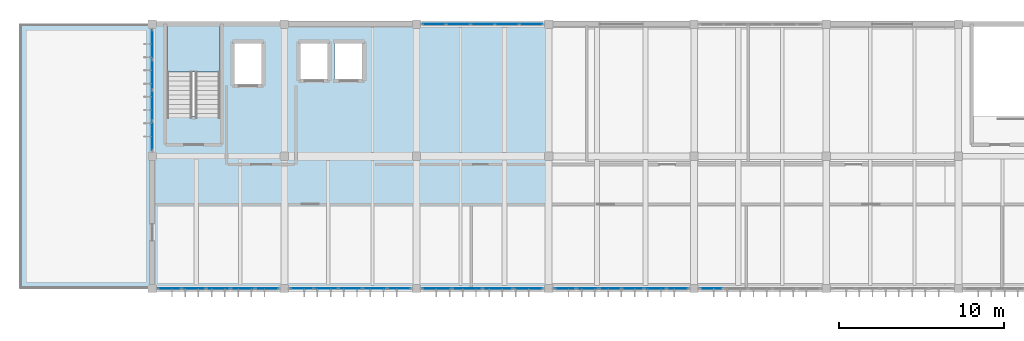
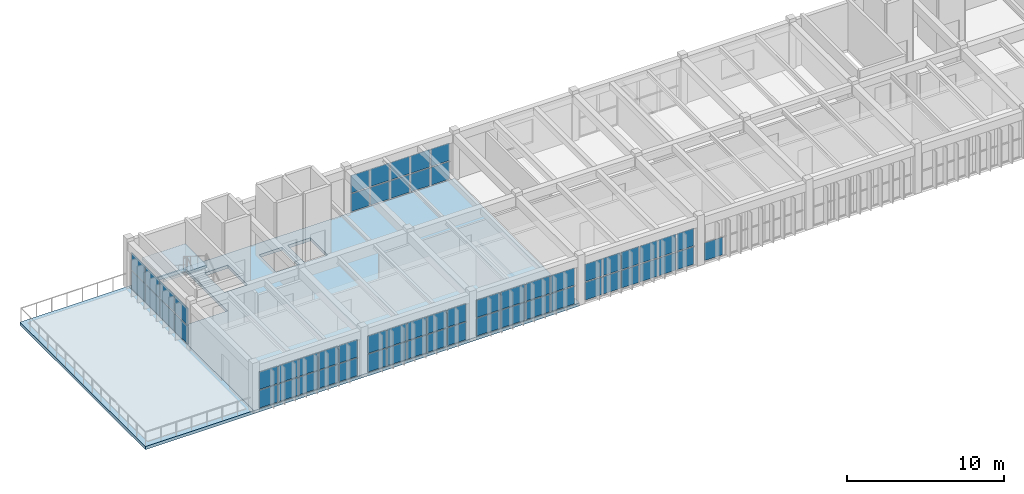
# One storey, part 7 of 12: 59 plates, 3 slabs, 8 elements without a shape of their own.
"""IFC4 building model written with IfcOpenShell, lengths in metres."""

from ifc_helpers import new_model, si_unit, direction, frame, origin, origin_2d, place, context, subcontext, project, spatial, polyline, rectangle, outline, extrude, material, layer, layer_set, type_object, element, aggregate, save


model = new_model("IFC4")

# Units and contexts
model_context = context("Model", 3, precision=1e-05, world=origin(), true_north=direction((0.0, 1.0)))
body_context = subcontext(model_context, "Body", "Model", "MODEL_VIEW")
ifc_project = project(units=[si_unit("LENGTHUNIT", "METRE"), si_unit("AREAUNIT", "SQUARE_METRE"), si_unit("VOLUMEUNIT", "CUBIC_METRE"), si_unit("PLANEANGLEUNIT", "RADIAN"), si_unit("MASSUNIT", "GRAM", prefix="KILO")], contexts=[model_context])

# Site, building, storey
site_placement = place(None, origin())
site = spatial("IfcSite", under=ifc_project, at=site_placement, CompositionType="ELEMENT")
building_placement = place(site_placement, origin())
building = spatial("IfcBuilding", under=site, at=building_placement, Name="Tlaxcora Railside Police Headquarters", CompositionType="ELEMENT")
storey_placement = place(building_placement, frame((0.0, 0.0, 29.699951171875)))
storey = spatial("IfcBuildingStorey", under=building, at=storey_placement, Name="L07", CompositionType="ELEMENT", Elevation=29.699951171875)

# Curtain wall, plates
ifc_material_1 = material(Name="Thermally broken low-E insulated glazing", Category="glass")
curtain_wall_type_1 = type_object("IfcCurtainWallType", Name="Unitised Curtain Wall Assembly CW-23", PredefinedType="NOTDEFINED", material=ifc_material_1)
curtain_wall_1_placement = place(storey_placement, origin())
curtain_wall_1 = element("IfcCurtainWall", 1, at=curtain_wall_1_placement, inside=storey, type_object=curtain_wall_type_1, Name="V5 L07 curtain wall 136", PredefinedType="NOTDEFINED")
ifc_layer_1 = layer(ifc_material_1, 0.0400390625, Name="Thermally broken low-E insulated glazing")
ifc_layer_set_1 = layer_set([ifc_layer_1], Name="Thermally broken low-E insulated glazing")
plate_type_1 = type_object("IfcPlateType", Name="Curtain Wall Infill Panel CW-17", PredefinedType="CURTAIN_PANEL", material=ifc_layer_set_1)
plate_1_placement = place(storey_placement, frame((46.203369140625, 76.800048828125, 0.080078125), z_axis=(0.0, 0.0, 1.0), x_axis=(1.0, 0.0, 0.0)))
plate_1 = element("IfcPlate", 2, at=plate_1_placement, type_object=plate_type_1, Name="CW panel 1.1", PredefinedType="CURTAIN_PANEL", context=body_context, shape_type="SweptSolid", body=[
    extrude(rectangle(XDim=1.24658203125, YDim=0.0400390625, at=origin_2d()), origin(), (0.0, 0.0, 1.0), 1.3701171875),
])
plate_2_placement = place(storey_placement, frame((46.203369140625, 76.800048828125, 1.530029296875), z_axis=(0.0, 0.0, 1.0), x_axis=(1.0, 0.0, 0.0)))
plate_2 = element("IfcPlate", 3, at=plate_2_placement, type_object=plate_type_1, Name="CW panel 1.2", PredefinedType="CURTAIN_PANEL", context=body_context, shape_type="SweptSolid", body=[
    extrude(rectangle(XDim=1.24658203125, YDim=0.0400390625, at=origin_2d()), origin(), (0.0, 0.0, 1.0), 1.35009765625),
])
plate_3_placement = place(storey_placement, frame((47.550048828125, 76.800048828125, 0.080078125), z_axis=(0.0, 0.0, 1.0), x_axis=(1.0, 0.0, 0.0)))
plate_3 = element("IfcPlate", 4, at=plate_3_placement, type_object=plate_type_1, Name="CW panel 2.1", PredefinedType="CURTAIN_PANEL", context=body_context, shape_type="SweptSolid", body=[
    extrude(rectangle(XDim=1.28662109375, YDim=0.0400390625, at=origin_2d()), origin(), (0.0, 0.0, 1.0), 1.3701171875),
])
plate_4_placement = place(storey_placement, frame((47.550048828125, 76.800048828125, 1.530029296875), z_axis=(0.0, 0.0, 1.0), x_axis=(1.0, 0.0, 0.0)))
plate_4 = element("IfcPlate", 5, at=plate_4_placement, type_object=plate_type_1, Name="CW panel 2.2", PredefinedType="CURTAIN_PANEL", context=body_context, shape_type="SweptSolid", body=[
    extrude(rectangle(XDim=1.28662109375, YDim=0.0400390625, at=origin_2d()), origin(), (0.0, 0.0, 1.0), 1.35009765625),
])
plate_5_placement = place(storey_placement, frame((48.916748046875, 76.800048828125, 0.080078125), z_axis=(0.0, 0.0, 1.0), x_axis=(1.0, 0.0, 0.0)))
plate_5 = element("IfcPlate", 6, at=plate_5_placement, type_object=plate_type_1, Name="CW panel 3.1", PredefinedType="CURTAIN_PANEL", context=body_context, shape_type="SweptSolid", body=[
    extrude(rectangle(XDim=1.28662109375, YDim=0.0400390625, at=origin_2d()), origin(), (0.0, 0.0, 1.0), 1.3701171875),
])
plate_6_placement = place(storey_placement, frame((48.916748046875, 76.800048828125, 1.530029296875), z_axis=(0.0, 0.0, 1.0), x_axis=(1.0, 0.0, 0.0)))
plate_6 = element("IfcPlate", 7, at=plate_6_placement, type_object=plate_type_1, Name="CW panel 3.2", PredefinedType="CURTAIN_PANEL", context=body_context, shape_type="SweptSolid", body=[
    extrude(rectangle(XDim=1.28662109375, YDim=0.0400390625, at=origin_2d()), origin(), (0.0, 0.0, 1.0), 1.35009765625),
])
plate_7_placement = place(storey_placement, frame((50.283447265625, 76.800048828125, 0.080078125), z_axis=(0.0, 0.0, 1.0), x_axis=(1.0, 0.0, 0.0)))
plate_7 = element("IfcPlate", 8, at=plate_7_placement, type_object=plate_type_1, Name="CW panel 4.1", PredefinedType="CURTAIN_PANEL", context=body_context, shape_type="SweptSolid", body=[
    extrude(rectangle(XDim=1.28662109375, YDim=0.0400390625, at=origin_2d()), origin(), (0.0, 0.0, 1.0), 1.3701171875),
])
plate_8_placement = place(storey_placement, frame((50.283447265625, 76.800048828125, 1.530029296875), z_axis=(0.0, 0.0, 1.0), x_axis=(1.0, 0.0, 0.0)))
plate_8 = element("IfcPlate", 9, at=plate_8_placement, type_object=plate_type_1, Name="CW panel 4.2", PredefinedType="CURTAIN_PANEL", context=body_context, shape_type="SweptSolid", body=[
    extrude(rectangle(XDim=1.28662109375, YDim=0.0400390625, at=origin_2d()), origin(), (0.0, 0.0, 1.0), 1.35009765625),
])
plate_9_placement = place(storey_placement, frame((51.64990234375, 76.800048828125, 0.080078125), z_axis=(0.0, 0.0, 1.0), x_axis=(1.0, 0.0, 0.0)))
plate_9 = element("IfcPlate", 10, at=plate_9_placement, type_object=plate_type_1, Name="CW panel 5.1", PredefinedType="CURTAIN_PANEL", context=body_context, shape_type="SweptSolid", body=[
    extrude(rectangle(XDim=1.28662109375, YDim=0.0400390625, at=origin_2d()), origin(), (0.0, 0.0, 1.0), 1.3701171875),
])
plate_10_placement = place(storey_placement, frame((51.64990234375, 76.800048828125, 1.530029296875), z_axis=(0.0, 0.0, 1.0), x_axis=(1.0, 0.0, 0.0)))
plate_10 = element("IfcPlate", 11, at=plate_10_placement, type_object=plate_type_1, Name="CW panel 5.2", PredefinedType="CURTAIN_PANEL", context=body_context, shape_type="SweptSolid", body=[
    extrude(rectangle(XDim=1.28662109375, YDim=0.0400390625, at=origin_2d()), origin(), (0.0, 0.0, 1.0), 1.35009765625),
])
plate_11_placement = place(storey_placement, frame((52.99658203125, 76.800048828125, 0.080078125), z_axis=(0.0, 0.0, 1.0), x_axis=(1.0, 0.0, 0.0)))
plate_11 = element("IfcPlate", 12, at=plate_11_placement, type_object=plate_type_1, Name="CW panel 6.1", PredefinedType="CURTAIN_PANEL", context=body_context, shape_type="SweptSolid", body=[
    extrude(rectangle(XDim=1.24658203125, YDim=0.0400390625, at=origin_2d()), origin(), (0.0, 0.0, 1.0), 1.3701171875),
])
plate_12_placement = place(storey_placement, frame((52.99658203125, 76.800048828125, 1.530029296875), z_axis=(0.0, 0.0, 1.0), x_axis=(1.0, 0.0, 0.0)))
plate_12 = element("IfcPlate", 13, at=plate_12_placement, type_object=plate_type_1, Name="CW panel 6.2", PredefinedType="CURTAIN_PANEL", context=body_context, shape_type="SweptSolid", body=[
    extrude(rectangle(XDim=1.24658203125, YDim=0.0400390625, at=origin_2d()), origin(), (0.0, 0.0, 1.0), 1.35009765625),
])
aggregate(curtain_wall_1, [plate_1, plate_2, plate_3, plate_4, plate_5, plate_6, plate_7, plate_8, plate_9, plate_10, plate_11, plate_12])

curtain_wall_type_2 = type_object("IfcCurtainWallType", Name="Unitised Curtain Wall Assembly CW-15", PredefinedType="NOTDEFINED", material=ifc_material_1)
curtain_wall_2_placement = place(storey_placement, origin())
curtain_wall_2 = element("IfcCurtainWall", 14, at=curtain_wall_2_placement, inside=storey, type_object=curtain_wall_type_2, Name="V5 L07 curtain wall 134", PredefinedType="NOTDEFINED")
ifc_layer_2 = layer(ifc_material_1, 0.031982421875, Name="Thermally broken low-E insulated glazing")
ifc_layer_set_2 = layer_set([ifc_layer_2], Name="Thermally broken low-E insulated glazing")
plate_type_2 = type_object("IfcPlateType", Name="Curtain Wall Infill Panel CW-41", PredefinedType="CURTAIN_PANEL", material=ifc_layer_set_2)
plate_13_placement = place(storey_placement, frame((30.2587890625, 76.800048828125, 0.0751953125), z_axis=(0.0, 0.0, 1.0), x_axis=(1.0, 0.0, 0.0)))
plate_13 = element("IfcPlate", 15, at=plate_13_placement, type_object=plate_type_2, Name="CW panel 1.1", PredefinedType="CURTAIN_PANEL", context=body_context, shape_type="SweptSolid", body=[
    extrude(rectangle(XDim=1.367431640625, YDim=0.031982421875, at=origin_2d()), origin(), (0.0, 0.0, 1.0), 1.37744140625),
])
plate_14_placement = place(storey_placement, frame((30.2587890625, 76.800048828125, 1.527587890625), z_axis=(0.0, 0.0, 1.0), x_axis=(1.0, 0.0, 0.0)))
plate_14 = element("IfcPlate", 16, at=plate_14_placement, type_object=plate_type_2, Name="CW panel 1.2", PredefinedType="CURTAIN_PANEL", context=body_context, shape_type="SweptSolid", body=[
    extrude(rectangle(XDim=1.367431640625, YDim=0.031982421875, at=origin_2d()), origin(), (0.0, 0.0, 1.0), 1.357421875),
])
plate_15_placement = place(storey_placement, frame((31.719970703125, 76.800048828125, 0.0751953125), z_axis=(0.0, 0.0, 1.0), x_axis=(1.0, 0.0, 0.0)))
plate_15 = element("IfcPlate", 17, at=plate_15_placement, type_object=plate_type_2, Name="CW panel 2.1", PredefinedType="CURTAIN_PANEL", context=body_context, shape_type="SweptSolid", body=[
    extrude(rectangle(XDim=1.405029296875, YDim=0.031982421875, at=origin_2d()), origin(), (0.0, 0.0, 1.0), 1.37744140625),
])
plate_16_placement = place(storey_placement, frame((31.719970703125, 76.800048828125, 1.527587890625), z_axis=(0.0, 0.0, 1.0), x_axis=(1.0, 0.0, 0.0)))
plate_16 = element("IfcPlate", 18, at=plate_16_placement, type_object=plate_type_2, Name="CW panel 2.2", PredefinedType="CURTAIN_PANEL", context=body_context, shape_type="SweptSolid", body=[
    extrude(rectangle(XDim=1.405029296875, YDim=0.031982421875, at=origin_2d()), origin(), (0.0, 0.0, 1.0), 1.357421875),
])
plate_17_placement = place(storey_placement, frame((33.199951171875, 76.800048828125, 0.0751953125), z_axis=(0.0, 0.0, 1.0), x_axis=(1.0, 0.0, 0.0)))
plate_17 = element("IfcPlate", 19, at=plate_17_placement, type_object=plate_type_2, Name="CW panel 3.1", PredefinedType="CURTAIN_PANEL", context=body_context, shape_type="SweptSolid", body=[
    extrude(rectangle(XDim=1.405029296875, YDim=0.031982421875, at=origin_2d()), origin(), (0.0, 0.0, 1.0), 1.37744140625),
])
plate_18_placement = place(storey_placement, frame((33.199951171875, 76.800048828125, 1.527587890625), z_axis=(0.0, 0.0, 1.0), x_axis=(1.0, 0.0, 0.0)))
plate_18 = element("IfcPlate", 20, at=plate_18_placement, type_object=plate_type_2, Name="CW panel 3.2", PredefinedType="CURTAIN_PANEL", context=body_context, shape_type="SweptSolid", body=[
    extrude(rectangle(XDim=1.405029296875, YDim=0.031982421875, at=origin_2d()), origin(), (0.0, 0.0, 1.0), 1.357421875),
])
plate_19_placement = place(storey_placement, frame((34.679931640625, 76.800048828125, 0.0751953125), z_axis=(0.0, 0.0, 1.0), x_axis=(1.0, 0.0, 0.0)))
plate_19 = element("IfcPlate", 21, at=plate_19_placement, type_object=plate_type_2, Name="CW panel 4.1", PredefinedType="CURTAIN_PANEL", context=body_context, shape_type="SweptSolid", body=[
    extrude(rectangle(XDim=1.405029296875, YDim=0.031982421875, at=origin_2d()), origin(), (0.0, 0.0, 1.0), 1.37744140625),
])
plate_20_placement = place(storey_placement, frame((34.679931640625, 76.800048828125, 1.527587890625), z_axis=(0.0, 0.0, 1.0), x_axis=(1.0, 0.0, 0.0)))
plate_20 = element("IfcPlate", 22, at=plate_20_placement, type_object=plate_type_2, Name="CW panel 4.2", PredefinedType="CURTAIN_PANEL", context=body_context, shape_type="SweptSolid", body=[
    extrude(rectangle(XDim=1.405029296875, YDim=0.031982421875, at=origin_2d()), origin(), (0.0, 0.0, 1.0), 1.357421875),
])
plate_21_placement = place(storey_placement, frame((36.141357421875, 76.800048828125, 0.0751953125), z_axis=(0.0, 0.0, 1.0), x_axis=(1.0, 0.0, 0.0)))
plate_21 = element("IfcPlate", 23, at=plate_21_placement, type_object=plate_type_2, Name="CW panel 5.1", PredefinedType="CURTAIN_PANEL", context=body_context, shape_type="SweptSolid", body=[
    extrude(rectangle(XDim=1.367431640625, YDim=0.031982421875, at=origin_2d()), origin(), (0.0, 0.0, 1.0), 1.37744140625),
])
plate_22_placement = place(storey_placement, frame((36.141357421875, 76.800048828125, 1.527587890625), z_axis=(0.0, 0.0, 1.0), x_axis=(1.0, 0.0, 0.0)))
plate_22 = element("IfcPlate", 24, at=plate_22_placement, type_object=plate_type_2, Name="CW panel 5.2", PredefinedType="CURTAIN_PANEL", context=body_context, shape_type="SweptSolid", body=[
    extrude(rectangle(XDim=1.367431640625, YDim=0.031982421875, at=origin_2d()), origin(), (0.0, 0.0, 1.0), 1.357421875),
])
aggregate(curtain_wall_2, [plate_13, plate_14, plate_15, plate_16, plate_17, plate_18, plate_19, plate_20, plate_21, plate_22])

curtain_wall_3_placement = place(storey_placement, origin())
curtain_wall_3 = element("IfcCurtainWall", 25, at=curtain_wall_3_placement, inside=storey, type_object=curtain_wall_type_2, Name="V5 L07 curtain wall 142", PredefinedType="NOTDEFINED")
plate_23_placement = place(storey_placement, frame((44.141357421875, 92.800048828125, 0.0751953125), z_axis=(0.0, 0.0, 1.0), x_axis=(-1.0, 0.0, 0.0)))
plate_23 = element("IfcPlate", 26, at=plate_23_placement, type_object=plate_type_2, Name="CW panel 1.1", PredefinedType="CURTAIN_PANEL", context=body_context, shape_type="SweptSolid", body=[
    extrude(rectangle(XDim=1.367431640625, YDim=0.031982421875, at=origin_2d()), origin(), (0.0, 0.0, 1.0), 1.37744140625),
])
plate_24_placement = place(storey_placement, frame((44.141357421875, 92.800048828125, 1.527587890625), z_axis=(0.0, 0.0, 1.0), x_axis=(-1.0, 0.0, 0.0)))
plate_24 = element("IfcPlate", 27, at=plate_24_placement, type_object=plate_type_2, Name="CW panel 1.2", PredefinedType="CURTAIN_PANEL", context=body_context, shape_type="SweptSolid", body=[
    extrude(rectangle(XDim=1.367431640625, YDim=0.031982421875, at=origin_2d()), origin(), (0.0, 0.0, 1.0), 1.357421875),
])
plate_25_placement = place(storey_placement, frame((42.679931640625, 92.800048828125, 0.0751953125), z_axis=(0.0, 0.0, 1.0), x_axis=(-1.0, 0.0, 0.0)))
plate_25 = element("IfcPlate", 28, at=plate_25_placement, type_object=plate_type_2, Name="CW panel 2.1", PredefinedType="CURTAIN_PANEL", context=body_context, shape_type="SweptSolid", body=[
    extrude(rectangle(XDim=1.405029296875, YDim=0.031982421875, at=origin_2d()), origin(), (0.0, 0.0, 1.0), 1.37744140625),
])
plate_26_placement = place(storey_placement, frame((42.679931640625, 92.800048828125, 1.527587890625), z_axis=(0.0, 0.0, 1.0), x_axis=(-1.0, 0.0, 0.0)))
plate_26 = element("IfcPlate", 29, at=plate_26_placement, type_object=plate_type_2, Name="CW panel 2.2", PredefinedType="CURTAIN_PANEL", context=body_context, shape_type="SweptSolid", body=[
    extrude(rectangle(XDim=1.405029296875, YDim=0.031982421875, at=origin_2d()), origin(), (0.0, 0.0, 1.0), 1.357421875),
])
plate_27_placement = place(storey_placement, frame((41.199951171875, 92.800048828125, 0.0751953125), z_axis=(0.0, 0.0, 1.0), x_axis=(-1.0, 0.0, 0.0)))
plate_27 = element("IfcPlate", 30, at=plate_27_placement, type_object=plate_type_2, Name="CW panel 3.1", PredefinedType="CURTAIN_PANEL", context=body_context, shape_type="SweptSolid", body=[
    extrude(rectangle(XDim=1.405029296875, YDim=0.031982421875, at=origin_2d()), origin(), (0.0, 0.0, 1.0), 1.37744140625),
])
plate_28_placement = place(storey_placement, frame((41.199951171875, 92.800048828125, 1.527587890625), z_axis=(0.0, 0.0, 1.0), x_axis=(-1.0, 0.0, 0.0)))
plate_28 = element("IfcPlate", 31, at=plate_28_placement, type_object=plate_type_2, Name="CW panel 3.2", PredefinedType="CURTAIN_PANEL", context=body_context, shape_type="SweptSolid", body=[
    extrude(rectangle(XDim=1.405029296875, YDim=0.031982421875, at=origin_2d()), origin(), (0.0, 0.0, 1.0), 1.357421875),
])
plate_29_placement = place(storey_placement, frame((39.719970703125, 92.800048828125, 0.0751953125), z_axis=(0.0, 0.0, 1.0), x_axis=(-1.0, 0.0, 0.0)))
plate_29 = element("IfcPlate", 32, at=plate_29_placement, type_object=plate_type_2, Name="CW panel 4.1", PredefinedType="CURTAIN_PANEL", context=body_context, shape_type="SweptSolid", body=[
    extrude(rectangle(XDim=1.405029296875, YDim=0.031982421875, at=origin_2d()), origin(), (0.0, 0.0, 1.0), 1.37744140625),
])
plate_30_placement = place(storey_placement, frame((39.719970703125, 92.800048828125, 1.527587890625), z_axis=(0.0, 0.0, 1.0), x_axis=(-1.0, 0.0, 0.0)))
plate_30 = element("IfcPlate", 33, at=plate_30_placement, type_object=plate_type_2, Name="CW panel 4.2", PredefinedType="CURTAIN_PANEL", context=body_context, shape_type="SweptSolid", body=[
    extrude(rectangle(XDim=1.405029296875, YDim=0.031982421875, at=origin_2d()), origin(), (0.0, 0.0, 1.0), 1.357421875),
])
plate_31_placement = place(storey_placement, frame((38.2587890625, 92.800048828125, 0.0751953125), z_axis=(0.0, 0.0, 1.0), x_axis=(-1.0, 0.0, 0.0)))
plate_31 = element("IfcPlate", 34, at=plate_31_placement, type_object=plate_type_2, Name="CW panel 5.1", PredefinedType="CURTAIN_PANEL", context=body_context, shape_type="SweptSolid", body=[
    extrude(rectangle(XDim=1.367431640625, YDim=0.031982421875, at=origin_2d()), origin(), (0.0, 0.0, 1.0), 1.37744140625),
])
plate_32_placement = place(storey_placement, frame((38.2587890625, 92.800048828125, 1.527587890625), z_axis=(0.0, 0.0, 1.0), x_axis=(-1.0, 0.0, 0.0)))
plate_32 = element("IfcPlate", 35, at=plate_32_placement, type_object=plate_type_2, Name="CW panel 5.2", PredefinedType="CURTAIN_PANEL", context=body_context, shape_type="SweptSolid", body=[
    extrude(rectangle(XDim=1.367431640625, YDim=0.031982421875, at=origin_2d()), origin(), (0.0, 0.0, 1.0), 1.357421875),
])
aggregate(curtain_wall_3, [plate_23, plate_24, plate_25, plate_26, plate_27, plate_28, plate_29, plate_30, plate_31, plate_32])

curtain_wall_type_3 = type_object("IfcCurtainWallType", Name="Unitised Curtain Wall Assembly CW-83", PredefinedType="NOTDEFINED", material=ifc_material_1)
curtain_wall_4_placement = place(storey_placement, origin())
curtain_wall_4 = element("IfcCurtainWall", 36, at=curtain_wall_4_placement, inside=storey, type_object=curtain_wall_type_3, Name="V5 L07 curtain wall 135", PredefinedType="NOTDEFINED")
ifc_layer_3 = layer(ifc_material_1, 0.035888671875, Name="Thermally broken low-E insulated glazing")
ifc_layer_set_3 = layer_set([ifc_layer_3], Name="Thermally broken low-E insulated glazing")
plate_type_3 = type_object("IfcPlateType", Name="Curtain Wall Infill Panel CW-72", PredefinedType="CURTAIN_PANEL", material=ifc_layer_set_3)
plate_33_placement = place(storey_placement, frame((38.445068359375, 76.800048828125, 0.080078125), z_axis=(0.0, 0.0, 1.0), x_axis=(1.0, 0.0, 0.0)))
plate_33 = element("IfcPlate", 37, at=plate_33_placement, type_object=plate_type_3, Name="CW panel 1.1", PredefinedType="CURTAIN_PANEL", context=body_context, shape_type="SweptSolid", body=[
    extrude(rectangle(XDim=1.72998046875, YDim=0.035888671875, at=origin_2d()), origin(), (0.0, 0.0, 1.0), 1.3701171875),
])
plate_34_placement = place(storey_placement, frame((38.445068359375, 76.800048828125, 1.530029296875), z_axis=(0.0, 0.0, 1.0), x_axis=(1.0, 0.0, 0.0)))
plate_34 = element("IfcPlate", 38, at=plate_34_placement, type_object=plate_type_3, Name="CW panel 1.2", PredefinedType="CURTAIN_PANEL", context=body_context, shape_type="SweptSolid", body=[
    extrude(rectangle(XDim=1.72998046875, YDim=0.035888671875, at=origin_2d()), origin(), (0.0, 0.0, 1.0), 1.35009765625),
])
plate_35_placement = place(storey_placement, frame((40.27490234375, 76.800048828125, 0.080078125), z_axis=(0.0, 0.0, 1.0), x_axis=(1.0, 0.0, 0.0)))
plate_35 = element("IfcPlate", 39, at=plate_35_placement, type_object=plate_type_3, Name="CW panel 2.1", PredefinedType="CURTAIN_PANEL", context=body_context, shape_type="SweptSolid", body=[
    extrude(rectangle(XDim=1.77001953125, YDim=0.035888671875, at=origin_2d()), origin(), (0.0, 0.0, 1.0), 1.3701171875),
])
plate_36_placement = place(storey_placement, frame((40.27490234375, 76.800048828125, 1.530029296875), z_axis=(0.0, 0.0, 1.0), x_axis=(1.0, 0.0, 0.0)))
plate_36 = element("IfcPlate", 40, at=plate_36_placement, type_object=plate_type_3, Name="CW panel 2.2", PredefinedType="CURTAIN_PANEL", context=body_context, shape_type="SweptSolid", body=[
    extrude(rectangle(XDim=1.77001953125, YDim=0.035888671875, at=origin_2d()), origin(), (0.0, 0.0, 1.0), 1.35009765625),
])
plate_37_placement = place(storey_placement, frame((42.125, 76.800048828125, 0.080078125), z_axis=(0.0, 0.0, 1.0), x_axis=(1.0, 0.0, 0.0)))
plate_37 = element("IfcPlate", 41, at=plate_37_placement, type_object=plate_type_3, Name="CW panel 3.1", PredefinedType="CURTAIN_PANEL", context=body_context, shape_type="SweptSolid", body=[
    extrude(rectangle(XDim=1.77001953125, YDim=0.035888671875, at=origin_2d()), origin(), (0.0, 0.0, 1.0), 1.3701171875),
])
plate_38_placement = place(storey_placement, frame((42.125, 76.800048828125, 1.530029296875), z_axis=(0.0, 0.0, 1.0), x_axis=(1.0, 0.0, 0.0)))
plate_38 = element("IfcPlate", 42, at=plate_38_placement, type_object=plate_type_3, Name="CW panel 3.2", PredefinedType="CURTAIN_PANEL", context=body_context, shape_type="SweptSolid", body=[
    extrude(rectangle(XDim=1.77001953125, YDim=0.035888671875, at=origin_2d()), origin(), (0.0, 0.0, 1.0), 1.35009765625),
])
plate_39_placement = place(storey_placement, frame((43.955078125, 76.800048828125, 0.080078125), z_axis=(0.0, 0.0, 1.0), x_axis=(1.0, 0.0, 0.0)))
plate_39 = element("IfcPlate", 43, at=plate_39_placement, type_object=plate_type_3, Name="CW panel 4.1", PredefinedType="CURTAIN_PANEL", context=body_context, shape_type="SweptSolid", body=[
    extrude(rectangle(XDim=1.72998046875, YDim=0.035888671875, at=origin_2d()), origin(), (0.0, 0.0, 1.0), 1.3701171875),
])
plate_40_placement = place(storey_placement, frame((43.955078125, 76.800048828125, 1.530029296875), z_axis=(0.0, 0.0, 1.0), x_axis=(1.0, 0.0, 0.0)))
plate_40 = element("IfcPlate", 44, at=plate_40_placement, type_object=plate_type_3, Name="CW panel 4.2", PredefinedType="CURTAIN_PANEL", context=body_context, shape_type="SweptSolid", body=[
    extrude(rectangle(XDim=1.72998046875, YDim=0.035888671875, at=origin_2d()), origin(), (0.0, 0.0, 1.0), 1.35009765625),
])
aggregate(curtain_wall_4, [plate_33, plate_34, plate_35, plate_36, plate_37, plate_38, plate_39, plate_40])

curtain_wall_5_placement = place(storey_placement, origin())
curtain_wall_5 = element("IfcCurtainWall", 45, at=curtain_wall_5_placement, inside=storey, type_object=curtain_wall_type_3, Name="V5 L07 curtain wall 143", PredefinedType="NOTDEFINED")
plate_41_placement = place(storey_placement, frame((21.199951171875, 91.554931640625, 0.080078125), z_axis=(0.0, 0.0, 1.0), x_axis=(0.0, -1.0, 0.0)))
plate_41 = element("IfcPlate", 46, at=plate_41_placement, type_object=plate_type_3, Name="CW panel 1.1", PredefinedType="CURTAIN_PANEL", context=body_context, shape_type="SweptSolid", body=[
    extrude(rectangle(XDim=1.72998046875, YDim=0.035888671875, at=origin_2d()), origin(), (0.0, 0.0, 1.0), 1.3701171875),
])
plate_42_placement = place(storey_placement, frame((21.199951171875, 91.554931640625, 1.530029296875), z_axis=(0.0, 0.0, 1.0), x_axis=(0.0, -1.0, 0.0)))
plate_42 = element("IfcPlate", 47, at=plate_42_placement, type_object=plate_type_3, Name="CW panel 1.2", PredefinedType="CURTAIN_PANEL", context=body_context, shape_type="SweptSolid", body=[
    extrude(rectangle(XDim=1.72998046875, YDim=0.035888671875, at=origin_2d()), origin(), (0.0, 0.0, 1.0), 1.35009765625),
])
plate_43_placement = place(storey_placement, frame((21.199951171875, 89.72509765625, 0.080078125), z_axis=(0.0, 0.0, 1.0), x_axis=(0.0, -1.0, 0.0)))
plate_43 = element("IfcPlate", 48, at=plate_43_placement, type_object=plate_type_3, Name="CW panel 2.1", PredefinedType="CURTAIN_PANEL", context=body_context, shape_type="SweptSolid", body=[
    extrude(rectangle(XDim=1.77001953125, YDim=0.035888671875, at=origin_2d()), origin(), (0.0, 0.0, 1.0), 1.3701171875),
])
plate_44_placement = place(storey_placement, frame((21.199951171875, 89.72509765625, 1.530029296875), z_axis=(0.0, 0.0, 1.0), x_axis=(0.0, -1.0, 0.0)))
plate_44 = element("IfcPlate", 49, at=plate_44_placement, type_object=plate_type_3, Name="CW panel 2.2", PredefinedType="CURTAIN_PANEL", context=body_context, shape_type="SweptSolid", body=[
    extrude(rectangle(XDim=1.77001953125, YDim=0.035888671875, at=origin_2d()), origin(), (0.0, 0.0, 1.0), 1.35009765625),
])
plate_45_placement = place(storey_placement, frame((21.199951171875, 87.875, 0.080078125), z_axis=(0.0, 0.0, 1.0), x_axis=(0.0, -1.0, 0.0)))
plate_45 = element("IfcPlate", 50, at=plate_45_placement, type_object=plate_type_3, Name="CW panel 3.1", PredefinedType="CURTAIN_PANEL", context=body_context, shape_type="SweptSolid", body=[
    extrude(rectangle(XDim=1.77001953125, YDim=0.035888671875, at=origin_2d()), origin(), (0.0, 0.0, 1.0), 1.3701171875),
])
plate_46_placement = place(storey_placement, frame((21.199951171875, 87.875, 1.530029296875), z_axis=(0.0, 0.0, 1.0), x_axis=(0.0, -1.0, 0.0)))
plate_46 = element("IfcPlate", 51, at=plate_46_placement, type_object=plate_type_3, Name="CW panel 3.2", PredefinedType="CURTAIN_PANEL", context=body_context, shape_type="SweptSolid", body=[
    extrude(rectangle(XDim=1.77001953125, YDim=0.035888671875, at=origin_2d()), origin(), (0.0, 0.0, 1.0), 1.35009765625),
])
plate_47_placement = place(storey_placement, frame((21.199951171875, 86.044921875, 0.080078125), z_axis=(0.0, 0.0, 1.0), x_axis=(0.0, -1.0, 0.0)))
plate_47 = element("IfcPlate", 52, at=plate_47_placement, type_object=plate_type_3, Name="CW panel 4.1", PredefinedType="CURTAIN_PANEL", context=body_context, shape_type="SweptSolid", body=[
    extrude(rectangle(XDim=1.72998046875, YDim=0.035888671875, at=origin_2d()), origin(), (0.0, 0.0, 1.0), 1.3701171875),
])
plate_48_placement = place(storey_placement, frame((21.199951171875, 86.044921875, 1.530029296875), z_axis=(0.0, 0.0, 1.0), x_axis=(0.0, -1.0, 0.0)))
plate_48 = element("IfcPlate", 53, at=plate_48_placement, type_object=plate_type_3, Name="CW panel 4.2", PredefinedType="CURTAIN_PANEL", context=body_context, shape_type="SweptSolid", body=[
    extrude(rectangle(XDim=1.72998046875, YDim=0.035888671875, at=origin_2d()), origin(), (0.0, 0.0, 1.0), 1.35009765625),
])
aggregate(curtain_wall_5, [plate_41, plate_42, plate_43, plate_44, plate_45, plate_46, plate_47, plate_48])

curtain_wall_type_4 = type_object("IfcCurtainWallType", Name="Unitised Curtain Wall Assembly CW-38", PredefinedType="NOTDEFINED", material=ifc_material_1)
curtain_wall_6_placement = place(storey_placement, origin())
curtain_wall_6 = element("IfcCurtainWall", 54, at=curtain_wall_6_placement, inside=storey, type_object=curtain_wall_type_4, Name="V5 L07 curtain wall 133", PredefinedType="NOTDEFINED")
ifc_layer_4 = layer(ifc_material_1, 0.028076171875, Name="Thermally broken low-E insulated glazing")
ifc_layer_set_4 = layer_set([ifc_layer_4], Name="Thermally broken low-E insulated glazing")
plate_type_4 = type_object("IfcPlateType", Name="Curtain Wall Infill Panel CW-92", PredefinedType="CURTAIN_PANEL", material=ifc_layer_set_4)
plate_49_placement = place(storey_placement, frame((22.2587890625, 76.800048828125, 0.0751953125), z_axis=(0.0, 0.0, 1.0), x_axis=(1.0, 0.0, 0.0)))
plate_49 = element("IfcPlate", 55, at=plate_49_placement, type_object=plate_type_4, Name="CW panel 1.1", PredefinedType="CURTAIN_PANEL", context=body_context, shape_type="SweptSolid", body=[
    extrude(rectangle(XDim=1.367431640625, YDim=0.028076171875, at=origin_2d()), origin(), (0.0, 0.0, 1.0), 1.37744140625),
])
plate_50_placement = place(storey_placement, frame((22.2587890625, 76.800048828125, 1.527587890625), z_axis=(0.0, 0.0, 1.0), x_axis=(1.0, 0.0, 0.0)))
plate_50 = element("IfcPlate", 56, at=plate_50_placement, type_object=plate_type_4, Name="CW panel 1.2", PredefinedType="CURTAIN_PANEL", context=body_context, shape_type="SweptSolid", body=[
    extrude(rectangle(XDim=1.367431640625, YDim=0.028076171875, at=origin_2d()), origin(), (0.0, 0.0, 1.0), 1.357421875),
])
plate_51_placement = place(storey_placement, frame((23.719970703125, 76.800048828125, 0.0751953125), z_axis=(0.0, 0.0, 1.0), x_axis=(1.0, 0.0, 0.0)))
plate_51 = element("IfcPlate", 57, at=plate_51_placement, type_object=plate_type_4, Name="CW panel 2.1", PredefinedType="CURTAIN_PANEL", context=body_context, shape_type="SweptSolid", body=[
    extrude(rectangle(XDim=1.405029296875, YDim=0.028076171875, at=origin_2d()), origin(), (0.0, 0.0, 1.0), 1.37744140625),
])
plate_52_placement = place(storey_placement, frame((23.719970703125, 76.800048828125, 1.527587890625), z_axis=(0.0, 0.0, 1.0), x_axis=(1.0, 0.0, 0.0)))
plate_52 = element("IfcPlate", 58, at=plate_52_placement, type_object=plate_type_4, Name="CW panel 2.2", PredefinedType="CURTAIN_PANEL", context=body_context, shape_type="SweptSolid", body=[
    extrude(rectangle(XDim=1.405029296875, YDim=0.028076171875, at=origin_2d()), origin(), (0.0, 0.0, 1.0), 1.357421875),
])
plate_53_placement = place(storey_placement, frame((25.199951171875, 76.800048828125, 0.0751953125), z_axis=(0.0, 0.0, 1.0), x_axis=(1.0, 0.0, 0.0)))
plate_53 = element("IfcPlate", 59, at=plate_53_placement, type_object=plate_type_4, Name="CW panel 3.1", PredefinedType="CURTAIN_PANEL", context=body_context, shape_type="SweptSolid", body=[
    extrude(rectangle(XDim=1.405029296875, YDim=0.028076171875, at=origin_2d()), origin(), (0.0, 0.0, 1.0), 1.37744140625),
])
plate_54_placement = place(storey_placement, frame((25.199951171875, 76.800048828125, 1.527587890625), z_axis=(0.0, 0.0, 1.0), x_axis=(1.0, 0.0, 0.0)))
plate_54 = element("IfcPlate", 60, at=plate_54_placement, type_object=plate_type_4, Name="CW panel 3.2", PredefinedType="CURTAIN_PANEL", context=body_context, shape_type="SweptSolid", body=[
    extrude(rectangle(XDim=1.405029296875, YDim=0.028076171875, at=origin_2d()), origin(), (0.0, 0.0, 1.0), 1.357421875),
])
plate_55_placement = place(storey_placement, frame((26.679931640625, 76.800048828125, 0.0751953125), z_axis=(0.0, 0.0, 1.0), x_axis=(1.0, 0.0, 0.0)))
plate_55 = element("IfcPlate", 61, at=plate_55_placement, type_object=plate_type_4, Name="CW panel 4.1", PredefinedType="CURTAIN_PANEL", context=body_context, shape_type="SweptSolid", body=[
    extrude(rectangle(XDim=1.405029296875, YDim=0.028076171875, at=origin_2d()), origin(), (0.0, 0.0, 1.0), 1.37744140625),
])
plate_56_placement = place(storey_placement, frame((26.679931640625, 76.800048828125, 1.527587890625), z_axis=(0.0, 0.0, 1.0), x_axis=(1.0, 0.0, 0.0)))
plate_56 = element("IfcPlate", 62, at=plate_56_placement, type_object=plate_type_4, Name="CW panel 4.2", PredefinedType="CURTAIN_PANEL", context=body_context, shape_type="SweptSolid", body=[
    extrude(rectangle(XDim=1.405029296875, YDim=0.028076171875, at=origin_2d()), origin(), (0.0, 0.0, 1.0), 1.357421875),
])
plate_57_placement = place(storey_placement, frame((28.141357421875, 76.800048828125, 0.0751953125), z_axis=(0.0, 0.0, 1.0), x_axis=(1.0, 0.0, 0.0)))
plate_57 = element("IfcPlate", 63, at=plate_57_placement, type_object=plate_type_4, Name="CW panel 5.1", PredefinedType="CURTAIN_PANEL", context=body_context, shape_type="SweptSolid", body=[
    extrude(rectangle(XDim=1.367431640625, YDim=0.028076171875, at=origin_2d()), origin(), (0.0, 0.0, 1.0), 1.37744140625),
])
plate_58_placement = place(storey_placement, frame((28.141357421875, 76.800048828125, 1.527587890625), z_axis=(0.0, 0.0, 1.0), x_axis=(1.0, 0.0, 0.0)))
plate_58 = element("IfcPlate", 64, at=plate_58_placement, type_object=plate_type_4, Name="CW panel 5.2", PredefinedType="CURTAIN_PANEL", context=body_context, shape_type="SweptSolid", body=[
    extrude(rectangle(XDim=1.367431640625, YDim=0.028076171875, at=origin_2d()), origin(), (0.0, 0.0, 1.0), 1.357421875),
])
aggregate(curtain_wall_6, [plate_49, plate_50, plate_51, plate_52, plate_53, plate_54, plate_55, plate_56, plate_57, plate_58])

# Curtain wall, plate
curtain_wall_7_placement = place(storey_placement, origin())
curtain_wall_7 = element("IfcCurtainWall", 65, at=curtain_wall_7_placement, inside=storey, type_object=curtain_wall_type_4, Name="V5 L07 curtain wall 137", PredefinedType="NOTDEFINED")
plate_59_placement = place(storey_placement, frame((55.058837890625, 76.800048828125, 0.0751953125), z_axis=(0.0, 0.0, 1.0), x_axis=(1.0, 0.0, 0.0)))
plate_59 = element("IfcPlate", 66, at=plate_59_placement, type_object=plate_type_4, Name="CW panel 1.1", PredefinedType="CURTAIN_PANEL", context=body_context, shape_type="SweptSolid", body=[
    extrude(rectangle(XDim=1.367431640625, YDim=0.028076171875, at=origin_2d()), origin(), (0.0, 0.0, 1.0), 1.37744140625),
])
aggregate(curtain_wall_7, [plate_59])

# Stair, slab
ifc_material_2 = material(Name="Concrete C40/50", Category="concrete")
stair_type = type_object("IfcStairType", Name="Half-Turn Dog-Leg Stair ST-30", PredefinedType="HALF_TURN_STAIR", material=ifc_material_2)
stair_placement = place(storey_placement, origin())
stair = element("IfcStair", 67, at=stair_placement, inside=storey, type_object=stair_type, Name="L07 ST1", PredefinedType="HALF_TURN_STAIR")
ifc_material_3 = material(Name="Concrete C35/45", Category="concrete")
ifc_layer_5 = layer(ifc_material_3, 0.199951171875, Name="Concrete C35/45")
ifc_layer_set_5 = layer_set([ifc_layer_5], Name="Concrete C35/45")
slab_type_1 = type_object("IfcSlabType", Name="Stair Landing Slab SL-23", PredefinedType="LANDING", material=ifc_layer_set_5)
slab_1_placement = place(storey_placement, frame((0.0, 0.0, 1.75)))
slab_1 = element("IfcSlab", 68, at=slab_1_placement, type_object=slab_type_1, Name="ST1 landing 1", PredefinedType="LANDING", context=body_context, shape_type="SweptSolid", body=[
    extrude(outline(polyline([(25.31005859375, 89.909912109375), (25.31005859375, 92.68994140625), (22.110107421875, 92.68994140625), (22.110107421875, 89.909912109375), (25.31005859375, 89.909912109375)])), origin(), (0.0, 0.0, 1.0), 0.199951171875),
])
aggregate(stair, [slab_1])

# Slabs
ifc_layer_6 = layer(ifc_material_3, 0.239990234375, Name="Concrete C35/45")
ifc_layer_set_6 = layer_set([ifc_layer_6], Name="Concrete C35/45")
slab_type_2 = type_object("IfcSlabType", Name="Suspended Floor Slab SL-49", PredefinedType="FLOOR", material=ifc_layer_set_6)
slab_2_placement = place(storey_placement, frame((0.0, 0.0, -0.239990234375)))
element("IfcSlab", 69, at=slab_2_placement, inside=storey, type_object=slab_type_2, Name="V5 L07 floor slab zone 1", PredefinedType="FLOOR", context=body_context, shape_type="SweptSolid", body=[
    extrude(outline(polyline([(45.199951171875, 92.800048828125), (21.199951171875, 92.800048828125), (21.199951171875, 76.800048828125), (45.199951171875, 76.800048828125), (45.199951171875, 92.800048828125)]), holes=[polyline([(22.110107421875, 92.68994140625), (25.31005859375, 92.68994140625), (25.31005859375, 87.25), (22.110107421875, 87.25), (22.110107421875, 92.68994140625)]), polyline([(27.85009765625, 91.64990234375), (27.85009765625, 89.14990234375), (26.14990234375, 89.14990234375), (26.14990234375, 91.64990234375), (27.85009765625, 91.64990234375)]), polyline([(31.85009765625, 89.449951171875), (30.14990234375, 89.449951171875), (30.14990234375, 91.64990234375), (31.85009765625, 91.64990234375), (31.85009765625, 89.449951171875)]), polyline([(32.25, 89.449951171875), (32.25, 91.64990234375), (33.949951171875, 91.64990234375), (33.949951171875, 89.449951171875), (32.25, 89.449951171875)])]), origin(), (0.0, 0.0, 1.0), 0.239990234375),
])
ifc_layer_7 = layer(ifc_material_2, 0.2451171875, Name="Concrete C40/50")
ifc_layer_set_7 = layer_set([ifc_layer_7], Name="Concrete C40/50")
slab_type_3 = type_object("IfcSlabType", Name="Suspended Floor Slab SL-67", PredefinedType="FLOOR", material=ifc_layer_set_7)
slab_3_placement = place(storey_placement, frame((0.0, 0.0, -0.244873046875)))
element("IfcSlab", 70, at=slab_3_placement, inside=storey, type_object=slab_type_3, Name="V5 L07 planted terrace slab", PredefinedType="FLOOR", context=body_context, shape_type="SweptSolid", body=[
    extrude(outline(polyline([(21.199951171875, 76.800048828125), (21.199951171875, 92.800048828125), (13.199951171875, 92.800048828125), (13.199951171875, 76.800048828125), (21.199951171875, 76.800048828125)])), origin(), (0.0, 0.0, 1.0), 0.244873046875),
])

save(model, "model.ifc")
